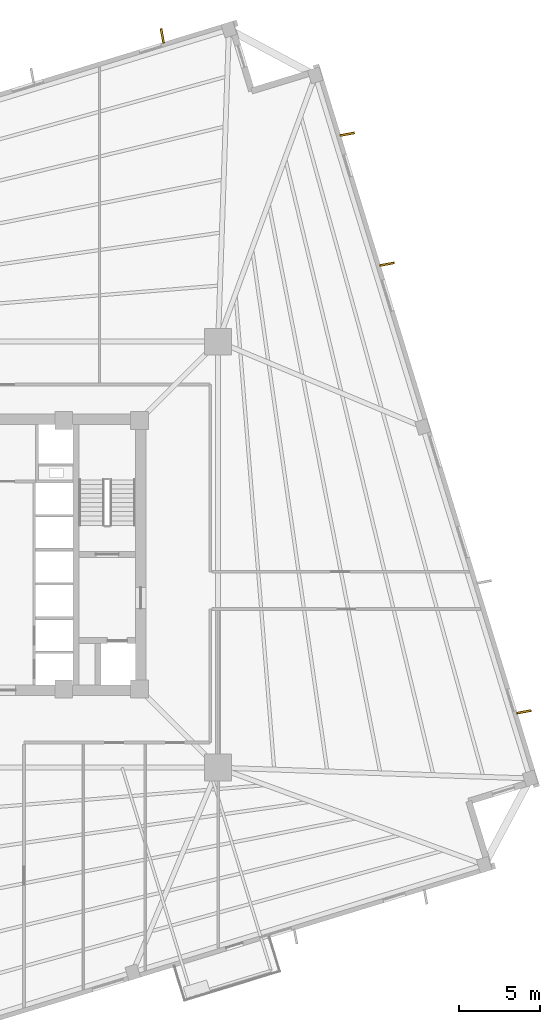
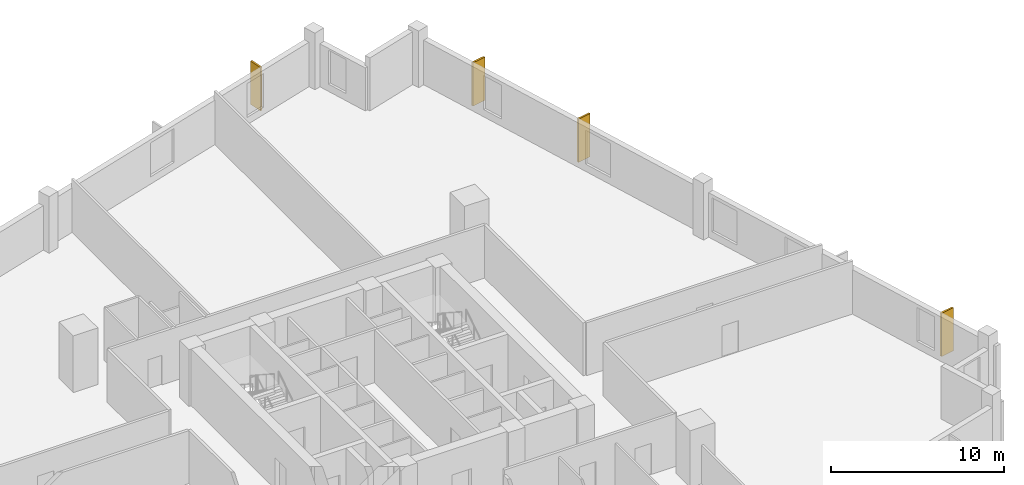
# One storey, part 8 of 8: 4 coverings.
"""IFC4 building model written with IfcOpenShell, lengths in metres."""

from ifc_helpers import new_model, si_unit, direction, frame, origin, origin_2d, place, context, subcontext, project, spatial, rectangle, extrude, source, transform, mapped, material, layer, layer_set, type_object, element, save


model = new_model("IFC4")

# Units and contexts
model_context = context("Model", 3, precision=1e-05, world=origin(), true_north=direction((0.0, 1.0)))
body_context = subcontext(model_context, "Body", "Model", "MODEL_VIEW")
ifc_project = project(units=[si_unit("LENGTHUNIT", "METRE"), si_unit("AREAUNIT", "SQUARE_METRE"), si_unit("VOLUMEUNIT", "CUBIC_METRE"), si_unit("PLANEANGLEUNIT", "RADIAN"), si_unit("MASSUNIT", "GRAM", prefix="KILO"), si_unit("THERMODYNAMICTEMPERATUREUNIT", "KELVIN")], contexts=[model_context])

# Site, building, storey
site_placement = place(None, origin())
site = spatial("IfcSite", under=ifc_project, at=site_placement, CompositionType="ELEMENT")
building_placement = place(site_placement, origin())
building = spatial("IfcBuilding", under=site, at=building_placement, Name="Kosmvard Interchange Tower", CompositionType="ELEMENT")
storey_placement = place(building_placement, frame((0.0, 0.0, 111.199951171875)))
storey = spatial("IfcBuildingStorey", under=building, at=storey_placement, Name="L26", CompositionType="ELEMENT", Elevation=111.199951171875)

# Coverings
ifc_material = material(Name="Architectural anodised aluminium", Category="aluminium")
ifc_layer = layer(ifc_material, 0.1201171875, Name="Architectural anodised aluminium")
ifc_layer_set = layer_set([ifc_layer], Name="Architectural anodised aluminium")
covering_type = type_object("IfcCoveringType", Name="Rotating Vertical Sun-Breaker Fin 900x120 Aluminium", PredefinedType="CLADDING", material=ifc_layer_set)
shared_shape = source(origin(), body_context, "Body", "SweptSolid", [
    extrude(rectangle(XDim=0.89990234375, YDim=0.1201171875, at=origin_2d()), origin(), (0.0, 0.0, 1.0), 3.06005859375),
])
for number, where, z_axis, x_axis, name in (
    (1, (31.865966796875, -9.6572265625, 0.0400390625), (0.0, 0.0, 1.0), (0.983381892338, 0.181549039717, 0.0), "L26 Rotating Vertical Sun-Breaker Fin 05"),
    (2, (23.45849609375, 17.841796875, 0.0400390625), (0.0, 0.0, 1.0), (0.983381892338, 0.181549039717, 0.0), "L26 Rotating Vertical Sun-Breaker Fin 07"),
    (3, (21.017822265625, 25.825439453125, 0.0400390625), (0.0, 0.0, 1.0), (0.983381892338, 0.181549039717, 0.0), "L26 Rotating Vertical Sun-Breaker Fin 08"),
    (4, (9.6572265625, 31.865966796875, 0.0400390625), (0.0, 0.0, 1.0), (-0.181549039717, 0.983381892338, 0.0), "L26 Rotating Vertical Sun-Breaker Fin 09"),
):
    element("IfcCovering", number, at=place(storey_placement, frame(where, z_axis=z_axis, x_axis=x_axis)), inside=storey, type_object=covering_type, Name=name, PredefinedType="CLADDING", context=body_context, shape_type="MappedRepresentation", body=[
        mapped(shared_shape, transform((0.0, 0.0, 0.0), scale=1.0)),
    ])

save(model, "model.ifc")
